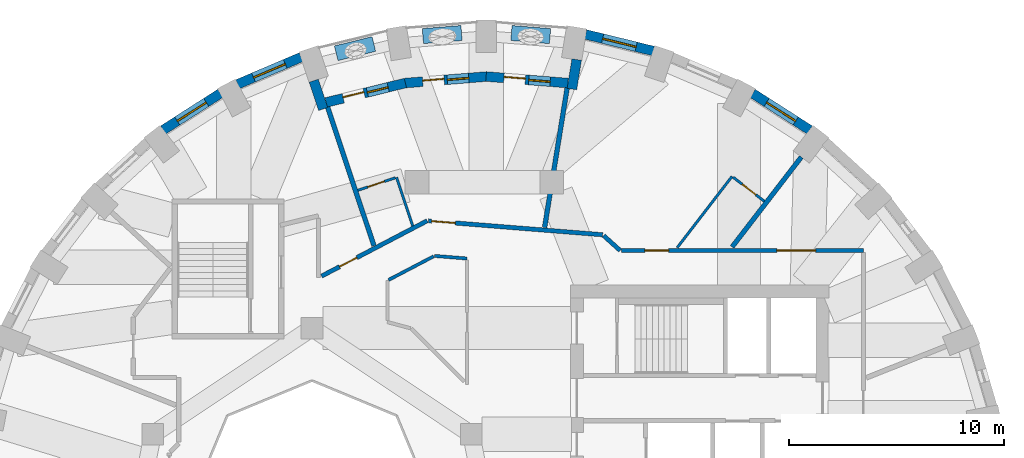
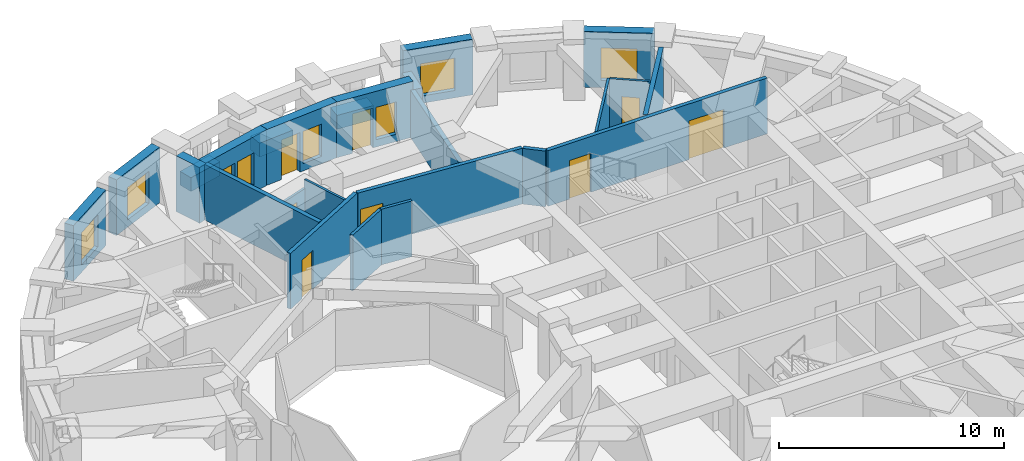
# One storey, part 7 of 11: 25 walls, 9 doors, 7 windows, 16 openings.
"""IFC4 building model written with IfcOpenShell, lengths in metres."""

from ifc_helpers import new_model, si_unit, direction, frame, frame_2d, origin, place, context, subcontext, project, spatial, rectangle, extrude, material, layer, layer_set, constituent, constituent_set, type_object, element, fill, save


model = new_model("IFC4")

# Units and contexts
model_context = context("Model", 3, precision=1e-05, world=origin(), true_north=direction((0.0, 1.0)))
body_context = subcontext(model_context, "Body", "Model", "MODEL_VIEW")
ifc_project = project(units=[si_unit("LENGTHUNIT", "METRE"), si_unit("AREAUNIT", "SQUARE_METRE"), si_unit("VOLUMEUNIT", "CUBIC_METRE"), si_unit("PLANEANGLEUNIT", "RADIAN"), si_unit("MASSUNIT", "GRAM", prefix="KILO")], contexts=[model_context])

# Site, building, storey
site_placement = place(None, origin())
site = spatial("IfcSite", under=ifc_project, at=site_placement, CompositionType="ELEMENT")
building_placement = place(site_placement, origin())
building = spatial("IfcBuilding", under=site, at=building_placement, Name="Taillehof Tower", CompositionType="ELEMENT")
storey_placement = place(building_placement, frame((0.0, 0.0, 178.10009765625)))
storey = spatial("IfcBuildingStorey", under=building, at=storey_placement, Name="L50", CompositionType="ELEMENT", Elevation=178.10009765625)

# Wall, opening, window
ifc_material_1 = material(Name="Brick masonry", Category="masonry")
ifc_layer_1 = layer(ifc_material_1, 0.449951171875)
ifc_layer_set_1 = layer_set([ifc_layer_1], Name="Brick infill wall 450")
wall_type_1 = type_object("IfcWallType", Name="Brick infill wall 450", PredefinedType="SOLIDWALL", material=ifc_layer_set_1)
wall_1_placement = place(storey_placement, frame((15.1083984375, 17.193359375, 0.0), z_axis=(0.0, 0.0, 1.0), x_axis=(-0.842030726237, 0.539429565442, 0.0)))
wall_1 = element("IfcWall", 1, at=wall_1_placement, inside=storey, type_object=wall_type_1, Name="Brick wall L50 bay 6", PredefinedType="SOLIDWALL", context=body_context, shape_type="SweptSolid", body=[
    extrude(rectangle(XDim=3.1513671875, YDim=0.449951171875, at=frame_2d((1.57568359375, 0.0))), origin(), (0.0, 0.0, 1.0), 3.02001953125),
])
opening_1_placement = place(wall_1_placement, frame((0.775634765625, 0.0, 0.39990234375)))
opening_1 = element("IfcOpeningElement", 2, at=opening_1_placement, cuts=wall_1, Name="Opening W3", PredefinedType="OPENING", context=body_context, shape_type="SweptSolid", body=[
    extrude(rectangle(XDim=1.60009765625, YDim=1.75, at=frame_2d((0.800048828125, 0.875))), frame((0.0, 0.23486328125, 0.0), z_axis=(0.0, -1.0, 0.0), x_axis=(1.0, 0.0, 0.0)), (0.0, 0.0, 1.0), 0.469970703125),
])
ifc_material_2 = material(Name="Aluminium window frame with clear double glazing", Category="aluminium")
window_type_1 = type_object("IfcWindowType", Name="Deep-set window 1600x1750", PartitioningType="SINGLE_PANEL", PredefinedType="WINDOW", material=ifc_material_2)
window_1_placement = place(opening_1_placement, origin())
window_1 = element("IfcWindow", 3, at=window_1_placement, inside=storey, type_object=window_type_1, Name="W3", OverallHeight=1.75, OverallWidth=1.60009765625, PartitioningType="SINGLE_PANEL", PredefinedType="WINDOW", context=body_context, shape_type="SweptSolid", body=[
    extrude(rectangle(XDim=1.60009765625, YDim=1.75, at=frame_2d((0.800048828125, 0.875))), frame((0.0, 0.034912109375, 0.0), z_axis=(0.0, -1.0, 0.0), x_axis=(1.0, 0.0, 0.0)), (0.0, 0.0, 1.0), 0.06005859375),
])
fill(opening_1, window_1)

wall_2_placement = place(storey_placement, frame((7.843017578125, 20.8623046875, 0.0), z_axis=(0.0, 0.0, 1.0), x_axis=(-0.971237178372, 0.238114139328, 0.0)))
wall_2 = element("IfcWall", 4, at=wall_2_placement, inside=storey, type_object=wall_type_1, Name="Brick wall L50 bay 8", PredefinedType="SOLIDWALL", context=body_context, shape_type="SweptSolid", body=[
    extrude(rectangle(XDim=3.23681640625, YDim=0.449951171875, at=frame_2d((1.618408203125, 0.0))), origin(), (0.0, 0.0, 1.0), 3.02001953125),
])
opening_2_placement = place(wall_2_placement, frame((0.818359375, 0.0, 0.39990234375)))
opening_2 = element("IfcOpeningElement", 5, at=opening_2_placement, cuts=wall_2, Name="Opening W3", PredefinedType="OPENING", context=body_context, shape_type="SweptSolid", body=[
    extrude(rectangle(XDim=1.60009765625, YDim=1.75, at=frame_2d((0.800048828125, 0.875))), frame((0.0, 0.23486328125, 0.0), z_axis=(0.0, -1.0, 0.0), x_axis=(1.0, 0.0, 0.0)), (0.0, 0.0, 1.0), 0.469970703125),
])
window_2_placement = place(opening_2_placement, origin())
window_2 = element("IfcWindow", 6, at=window_2_placement, inside=storey, type_object=window_type_1, Name="W3", OverallHeight=1.75, OverallWidth=1.60009765625, PartitioningType="SINGLE_PANEL", PredefinedType="WINDOW", context=body_context, shape_type="SweptSolid", body=[
    extrude(rectangle(XDim=1.60009765625, YDim=1.75, at=frame_2d((0.800048828125, 0.875))), frame((0.0, 0.034912109375, 0.0), z_axis=(0.0, -1.0, 0.0), x_axis=(1.0, 0.0, 0.0)), (0.0, 0.0, 1.0), 0.06005859375),
])
fill(opening_2, window_2)

wall_3_placement = place(storey_placement, frame((-8.50634765625, 20.574462890625, 0.0), z_axis=(0.0, 0.0, 1.0), x_axis=(-0.919798725687, -0.392390499663, 0.0)))
wall_3 = element("IfcWall", 7, at=wall_3_placement, inside=storey, type_object=wall_type_1, Name="Brick wall L50 bay 12", PredefinedType="SOLIDWALL", context=body_context, shape_type="SweptSolid", body=[
    extrude(rectangle(XDim=3.200439453125, YDim=0.449951171875, at=frame_2d((1.60009765625, 0.0))), origin(), (0.0, 0.0, 1.0), 3.02001953125),
])
opening_3_placement = place(wall_3_placement, frame((0.80029296875, 0.0, 0.39990234375)))
opening_3 = element("IfcOpeningElement", 8, at=opening_3_placement, cuts=wall_3, Name="Opening W3", PredefinedType="OPENING", context=body_context, shape_type="SweptSolid", body=[
    extrude(rectangle(XDim=1.60009765625, YDim=1.75, at=frame_2d((0.800048828125, 0.875))), frame((0.0, 0.23486328125, 0.0), z_axis=(0.0, -1.0, 0.0), x_axis=(1.0, 0.0, 0.0)), (0.0, 0.0, 1.0), 0.469970703125),
])
window_3_placement = place(opening_3_placement, origin())
window_3 = element("IfcWindow", 9, at=window_3_placement, inside=storey, type_object=window_type_1, Name="W3", OverallHeight=1.75, OverallWidth=1.60009765625, PartitioningType="SINGLE_PANEL", PredefinedType="WINDOW", context=body_context, shape_type="SweptSolid", body=[
    extrude(rectangle(XDim=1.60009765625, YDim=1.75, at=frame_2d((0.800048828125, 0.875))), frame((0.0, 0.034912109375, 0.0), z_axis=(0.0, -1.0, 0.0), x_axis=(1.0, 0.0, 0.0)), (0.0, 0.0, 1.0), 0.06005859375),
])
fill(opening_3, window_3)

wall_4_placement = place(storey_placement, frame((-12.2548828125, 18.893310546875, 0.0), z_axis=(0.0, 0.0, 1.0), x_axis=(-0.842030726237, -0.539429565442, 0.0)))
wall_4 = element("IfcWall", 10, at=wall_4_placement, inside=storey, type_object=wall_type_1, Name="Brick wall L50 bay 13", PredefinedType="SOLIDWALL", context=body_context, shape_type="SweptSolid", body=[
    extrude(rectangle(XDim=3.1513671875, YDim=0.449951171875, at=frame_2d((1.57568359375, 0.0))), origin(), (0.0, 0.0, 1.0), 3.02001953125),
])
opening_4_placement = place(wall_4_placement, frame((0.775634765625, 0.0, 0.39990234375)))
opening_4 = element("IfcOpeningElement", 11, at=opening_4_placement, cuts=wall_4, Name="Opening W3", PredefinedType="OPENING", context=body_context, shape_type="SweptSolid", body=[
    extrude(rectangle(XDim=1.60009765625, YDim=1.75, at=frame_2d((0.800048828125, 0.875))), frame((0.0, 0.23486328125, 0.0), z_axis=(0.0, -1.0, 0.0), x_axis=(1.0, 0.0, 0.0)), (0.0, 0.0, 1.0), 0.469970703125),
])
window_4_placement = place(opening_4_placement, origin())
window_4 = element("IfcWindow", 12, at=window_4_placement, inside=storey, type_object=window_type_1, Name="W3", OverallHeight=1.75, OverallWidth=1.60009765625, PartitioningType="SINGLE_PANEL", PredefinedType="WINDOW", context=body_context, shape_type="SweptSolid", body=[
    extrude(rectangle(XDim=1.60009765625, YDim=1.75, at=frame_2d((0.800048828125, 0.875))), frame((0.0, 0.034912109375, 0.0), z_axis=(0.0, -1.0, 0.0), x_axis=(1.0, 0.0, 0.0)), (0.0, 0.0, 1.0), 0.06005859375),
])
fill(opening_4, window_4)

# Walls
wall_5_placement = place(storey_placement, frame((4.2880859375, 20.4658203125, 0.0), z_axis=(0.0, 0.0, 1.0), x_axis=(-0.159668705775, -0.987170656166, 0.0)))
element("IfcWall", 13, at=wall_5_placement, inside=storey, type_object=wall_type_1, Name="Brick reveal L50 pocket 2", PredefinedType="SOLIDWALL", context=body_context, shape_type="SweptSolid", body=[
    extrude(rectangle(XDim=1.389892578125, YDim=0.449951171875, at=frame_2d((0.69482421875, 0.0))), origin(), (0.0, 0.0, 1.0), 2.56982421875),
])
wall_6_placement = place(storey_placement, frame((-7.921630859375, 19.486328125, 0.0), z_axis=(0.0, 0.0, 1.0), x_axis=(0.316649231286, -0.948542705589, 0.0)))
element("IfcWall", 14, at=wall_6_placement, inside=storey, type_object=wall_type_1, Name="Brick reveal L50 pocket 2", PredefinedType="SOLIDWALL", context=body_context, shape_type="SweptSolid", body=[
    extrude(rectangle(XDim=1.39013671875, YDim=0.449951171875, at=frame_2d((0.695068359375, 0.0))), origin(), (0.0, 0.0, 1.0), 3.02001953125),
])

# Wall, openings, door, window
wall_7_placement = place(storey_placement, frame((3.883056640625, 19.37060546875, 0.0), z_axis=(0.0, 0.0, 1.0), x_axis=(-0.996792437449, 0.080030223316, 0.0)))
wall_7 = element("IfcWall", 15, at=wall_7_placement, inside=storey, type_object=wall_type_1, Name="Brick wall L50 pocket bay 9", PredefinedType="SOLIDWALL", context=body_context, shape_type="SweptSolid", body=[
    extrude(rectangle(XDim=3.813232421875, YDim=0.449951171875, at=frame_2d((1.90673828125, 0.0))), origin(), (0.0, 0.0, 1.0), 3.02001953125),
])
opening_5_placement = place(wall_7_placement, frame((0.83154296875, 0.0, 0.39990234375)))
opening_5 = element("IfcOpeningElement", 16, at=opening_5_placement, cuts=wall_7, Name="Opening W5", PredefinedType="OPENING", context=body_context, shape_type="SweptSolid", body=[
    extrude(rectangle(XDim=1.0, YDim=1.75, at=frame_2d((0.5, 0.875))), frame((0.0, 0.23486328125, 0.0), z_axis=(0.0, -1.0, 0.0), x_axis=(1.0, 0.0, 0.0)), (0.0, 0.0, 1.0), 0.469970703125),
])
opening_6_placement = place(wall_7_placement, frame((1.981689453125, 0.0, 0.0)))
opening_6 = element("IfcOpeningElement", 17, at=opening_6_placement, cuts=wall_7, Name="Opening D5094", PredefinedType="OPENING", context=body_context, shape_type="SweptSolid", body=[
    extrude(rectangle(XDim=1.0, YDim=2.14990234375, at=frame_2d((0.5, 1.074951171875))), frame((0.0, 0.23486328125, 0.0), z_axis=(0.0, -1.0, 0.0), x_axis=(1.0, 0.0, 0.0)), (0.0, 0.0, 1.0), 0.469970703125),
])
ifc_material_3 = material(Name="Aluminium door frame with clear double glazing", Category="aluminium")
door_type_1 = type_object("IfcDoorType", Name="Balcony door 1000x2150", OperationType="SINGLE_SWING_RIGHT", PredefinedType="DOOR", material=ifc_material_3)
door_1_placement = place(opening_6_placement, frame((1.0, 0.0, 0.0), z_axis=(0.0, 0.0, 1.0), x_axis=(-1.0, 0.0, 0.0)))
door_1 = element("IfcDoor", 18, at=door_1_placement, inside=storey, type_object=door_type_1, Name="Balcony door L50 bay 9", OperationType="SINGLE_SWING_RIGHT", OverallHeight=2.14990234375, OverallWidth=1.0, PredefinedType="DOOR", context=body_context, shape_type="SweptSolid", body=[
    extrude(rectangle(XDim=1.0, YDim=2.14990234375, at=frame_2d((0.5, 1.074951171875))), frame((0.0, 0.0751953125, 0.0), z_axis=(0.0, -1.0, 0.0), x_axis=(1.0, 0.0, 0.0)), (0.0, 0.0, 1.0), 0.050048828125),
])
fill(opening_6, door_1)
ifc_material_4 = material(Name="Aluminium window frame with clear double glazing", Category="aluminium")
window_type_2 = type_object("IfcWindowType", Name="Fixed window 1000x1750", PartitioningType="SINGLE_PANEL", PredefinedType="WINDOW", material=ifc_material_4)
window_5_placement = place(opening_5_placement, origin())
window_5 = element("IfcWindow", 19, at=window_5_placement, inside=storey, type_object=window_type_2, Name="W5", OverallHeight=1.75, OverallWidth=1.0, PartitioningType="SINGLE_PANEL", PredefinedType="WINDOW", context=body_context, shape_type="SweptSolid", body=[
    extrude(rectangle(XDim=1.0, YDim=1.75, at=frame_2d((0.5, 0.875))), frame((0.0, 0.034912109375, 0.0), z_axis=(0.0, -1.0, 0.0), x_axis=(1.0, 0.0, 0.0)), (0.0, 0.0, 1.0), 0.06005859375),
])
fill(opening_5, window_5)

wall_8_placement = place(storey_placement, frame((0.117919921875, 19.67578125, 0.0), z_axis=(0.0, 0.0, 1.0), x_axis=(-0.996792139022, -0.080033940204, 0.0)))
wall_8 = element("IfcWall", 20, at=wall_8_placement, inside=storey, type_object=wall_type_1, Name="Brick wall L50 pocket bay 10", PredefinedType="SOLIDWALL", context=body_context, shape_type="SweptSolid", body=[
    extrude(rectangle(XDim=3.831298828125, YDim=0.449951171875, at=frame_2d((1.91552734375, 0.0))), origin(), (0.0, 0.0, 1.0), 3.02001953125),
])
opening_7_placement = place(wall_8_placement, frame((0.840576171875, 0.0, 0.39990234375)))
opening_7 = element("IfcOpeningElement", 21, at=opening_7_placement, cuts=wall_8, Name="Opening W5", PredefinedType="OPENING", context=body_context, shape_type="SweptSolid", body=[
    extrude(rectangle(XDim=1.0, YDim=1.75, at=frame_2d((0.5, 0.875))), frame((0.0, 0.23486328125, 0.0), z_axis=(0.0, -1.0, 0.0), x_axis=(1.0, 0.0, 0.0)), (0.0, 0.0, 1.0), 0.469970703125),
])
opening_8_placement = place(wall_8_placement, frame((1.99072265625, 0.0, 0.0)))
opening_8 = element("IfcOpeningElement", 22, at=opening_8_placement, cuts=wall_8, Name="Opening D5095", PredefinedType="OPENING", context=body_context, shape_type="SweptSolid", body=[
    extrude(rectangle(XDim=1.0, YDim=2.14990234375, at=frame_2d((0.5, 1.074951171875))), frame((0.0, 0.23486328125, 0.0), z_axis=(0.0, -1.0, 0.0), x_axis=(1.0, 0.0, 0.0)), (0.0, 0.0, 1.0), 0.469970703125),
])
door_2_placement = place(opening_8_placement, frame((1.0, 0.0, 0.0), z_axis=(0.0, 0.0, 1.0), x_axis=(-1.0, 0.0, 0.0)))
door_2 = element("IfcDoor", 23, at=door_2_placement, inside=storey, type_object=door_type_1, Name="Balcony door L50 bay 10", OperationType="SINGLE_SWING_LEFT", OverallHeight=2.14990234375, OverallWidth=1.0, PredefinedType="DOOR", context=body_context, shape_type="SweptSolid", body=[
    extrude(rectangle(XDim=1.0, YDim=2.14990234375, at=frame_2d((0.5, 1.074951171875))), frame((0.0, 0.0751953125, 0.0), z_axis=(0.0, -1.0, 0.0), x_axis=(1.0, 0.0, 0.0)), (0.0, 0.0, 1.0), 0.050048828125),
])
fill(opening_8, door_2)
window_6_placement = place(opening_7_placement, origin())
window_6 = element("IfcWindow", 24, at=window_6_placement, inside=storey, type_object=window_type_2, Name="W5", OverallHeight=1.75, OverallWidth=1.0, PartitioningType="SINGLE_PANEL", PredefinedType="WINDOW", context=body_context, shape_type="SweptSolid", body=[
    extrude(rectangle(XDim=1.0, YDim=1.75, at=frame_2d((0.5, 0.875))), frame((0.0, 0.034912109375, 0.0), z_axis=(0.0, -1.0, 0.0), x_axis=(1.0, 0.0, 0.0)), (0.0, 0.0, 1.0), 0.06005859375),
])
fill(opening_7, window_6)

wall_9_placement = place(storey_placement, frame((-3.665283203125, 19.375, 0.0), z_axis=(0.0, 0.0, 1.0), x_axis=(-0.97110866251, -0.238637728782, 0.0)))
wall_9 = element("IfcWall", 25, at=wall_9_placement, inside=storey, type_object=wall_type_1, Name="Brick wall L50 pocket bay 11", PredefinedType="SOLIDWALL", context=body_context, shape_type="SweptSolid", body=[
    extrude(rectangle(XDim=3.789306640625, YDim=0.449951171875, at=frame_2d((1.89453125, 0.0))), origin(), (0.0, 0.0, 1.0), 3.02001953125),
])
opening_9_placement = place(wall_9_placement, frame((0.81982421875, 0.0, 0.39990234375)))
opening_9 = element("IfcOpeningElement", 26, at=opening_9_placement, cuts=wall_9, Name="Opening W5", PredefinedType="OPENING", context=body_context, shape_type="SweptSolid", body=[
    extrude(rectangle(XDim=1.0, YDim=1.75, at=frame_2d((0.5, 0.875))), frame((0.0, 0.23486328125, 0.0), z_axis=(0.0, -1.0, 0.0), x_axis=(1.0, 0.0, 0.0)), (0.0, 0.0, 1.0), 0.469970703125),
])
opening_10_placement = place(wall_9_placement, frame((1.9697265625, 0.0, 0.0)))
opening_10 = element("IfcOpeningElement", 27, at=opening_10_placement, cuts=wall_9, Name="Opening D5096", PredefinedType="OPENING", context=body_context, shape_type="SweptSolid", body=[
    extrude(rectangle(XDim=1.0, YDim=2.14990234375, at=frame_2d((0.5, 1.074951171875))), frame((0.0, 0.23486328125, 0.0), z_axis=(0.0, -1.0, 0.0), x_axis=(1.0, 0.0, 0.0)), (0.0, 0.0, 1.0), 0.469970703125),
])
door_3_placement = place(opening_10_placement, frame((1.0, 0.0, 0.0), z_axis=(0.0, 0.0, 1.0), x_axis=(-1.0, 0.0, 0.0)))
door_3 = element("IfcDoor", 28, at=door_3_placement, inside=storey, type_object=door_type_1, Name="Balcony door L50 bay 11", OperationType="SINGLE_SWING_LEFT", OverallHeight=2.14990234375, OverallWidth=1.0, PredefinedType="DOOR", context=body_context, shape_type="SweptSolid", body=[
    extrude(rectangle(XDim=1.0, YDim=2.14990234375, at=frame_2d((0.5, 1.074951171875))), frame((0.0, 0.0751953125, 0.0), z_axis=(0.0, -1.0, 0.0), x_axis=(1.0, 0.0, 0.0)), (0.0, 0.0, 1.0), 0.050048828125),
])
fill(opening_10, door_3)
window_7_placement = place(opening_9_placement, origin())
window_7 = element("IfcWindow", 29, at=window_7_placement, inside=storey, type_object=window_type_2, Name="W5", OverallHeight=1.75, OverallWidth=1.0, PartitioningType="SINGLE_PANEL", PredefinedType="WINDOW", context=body_context, shape_type="SweptSolid", body=[
    extrude(rectangle(XDim=1.0, YDim=1.75, at=frame_2d((0.5, 0.875))), frame((0.0, 0.034912109375, 0.0), z_axis=(0.0, -1.0, 0.0), x_axis=(1.0, 0.0, 0.0)), (0.0, 0.0, 1.0), 0.06005859375),
])
fill(opening_9, window_7)

# Wall, opening, door
ifc_material_5 = material(Name="Gypsum board on steel studs, two layers each side", Category="steel")
ifc_layer_2 = layer(ifc_material_5, 0.199951171875)
ifc_layer_set_2 = layer_set([ifc_layer_2], Name="Compartment wall corridor 200")
wall_type_2 = type_object("IfcWallType", Name="Compartment wall corridor 200", PredefinedType="PARTITIONING", material=ifc_layer_set_2)
wall_10_placement = place(storey_placement, frame((-7.557373046875, 10.408935546875, 0.0), z_axis=(0.0, 0.0, 1.0), x_axis=(0.885861719566, 0.463949365565, 0.0)))
wall_10 = element("IfcWall", 30, at=wall_10_placement, inside=storey, type_object=wall_type_2, Name="Compartment wall", PredefinedType="PARTITIONING", context=body_context, shape_type="SweptSolid", body=[
    extrude(rectangle(XDim=5.54052734375, YDim=0.199951171875, at=frame_2d((2.770263671875, 0.0))), origin(), (0.0, 0.0, 1.0), 3.02001953125),
])
opening_11_placement = place(wall_10_placement, frame((0.949951171875, 0.0, 0.0)))
opening_11 = element("IfcOpeningElement", 31, at=opening_11_placement, cuts=wall_10, Name="Opening D5044", PredefinedType="OPENING", context=body_context, shape_type="SweptSolid", body=[
    extrude(rectangle(XDim=0.89990234375, YDim=2.10009765625, at=frame_2d((0.449951171875, 1.050048828125))), frame((0.0, 0.10986328125, 0.0), z_axis=(0.0, -1.0, 0.0), x_axis=(1.0, 0.0, 0.0)), (0.0, 0.0, 1.0), 0.219970703125),
])
ifc_material_6 = material(Name="Timber door leaf in steel frame", Category="steel")
door_type_2 = type_object("IfcDoorType", Name="Service room door EI 30 900 x 2100", OperationType="SINGLE_SWING_LEFT", PredefinedType="DOOR", material=ifc_material_6)
door_4_placement = place(opening_11_placement, origin())
door_4 = element("IfcDoor", 32, at=door_4_placement, inside=storey, type_object=door_type_2, Name="D5044", OperationType="SINGLE_SWING_RIGHT", OverallHeight=2.10009765625, OverallWidth=0.89990234375, PredefinedType="DOOR", context=body_context, shape_type="SweptSolid", body=[
    extrude(rectangle(XDim=0.89990234375, YDim=2.10009765625, at=frame_2d((0.449951171875, 1.050048828125))), frame((0.0, 0.02490234375, 0.0), z_axis=(0.0, -1.0, 0.0), x_axis=(1.0, 0.0, 0.0)), (0.0, 0.0, 1.0), 0.050048828125),
])
fill(opening_11, door_4)

wall_11_placement = place(storey_placement, frame((-2.589111328125, 12.974365234375, 0.0), z_axis=(0.0, 0.0, 1.0), x_axis=(0.996834299001, -0.079507108712, 0.0)))
wall_11 = element("IfcWall", 33, at=wall_11_placement, inside=storey, type_object=wall_type_2, Name="Compartment wall", PredefinedType="PARTITIONING", context=body_context, shape_type="SweptSolid", body=[
    extrude(rectangle(XDim=8.109619140625, YDim=0.199951171875, at=frame_2d((4.0546875, 0.0))), origin(), (0.0, 0.0, 1.0), 3.02001953125),
])
opening_12_placement = place(wall_11_placement, frame((0.139892578125, 0.0, 0.0)))
opening_12 = element("IfcOpeningElement", 34, at=opening_12_placement, cuts=wall_11, Name="Opening D5042", PredefinedType="OPENING", context=body_context, shape_type="SweptSolid", body=[
    extrude(rectangle(XDim=1.10009765625, YDim=2.10009765625, at=frame_2d((0.550048828125, 1.050048828125))), frame((0.0, 0.10986328125, 0.0), z_axis=(0.0, -1.0, 0.0), x_axis=(1.0, 0.0, 0.0)), (0.0, 0.0, 1.0), 0.219970703125),
])
ifc_material_7 = material(Name="Timber door leaf in steel frame", Category="steel")
door_type_3 = type_object("IfcDoorType", Name="Suite entrance door EI 30 1100 x 2100", OperationType="SINGLE_SWING_LEFT", PredefinedType="DOOR", material=ifc_material_7)
door_5_placement = place(opening_12_placement, origin())
door_5 = element("IfcDoor", 35, at=door_5_placement, inside=storey, type_object=door_type_3, Name="D5042", OperationType="SINGLE_SWING_LEFT", OverallHeight=2.10009765625, OverallWidth=1.10009765625, PredefinedType="DOOR", context=body_context, shape_type="SweptSolid", body=[
    extrude(rectangle(XDim=1.10009765625, YDim=2.10009765625, at=frame_2d((0.550048828125, 1.050048828125))), frame((0.0, 0.02490234375, 0.0), z_axis=(0.0, -1.0, 0.0), x_axis=(1.0, 0.0, 0.0)), (0.0, 0.0, 1.0), 0.050048828125),
])
fill(opening_12, door_5)

# Wall
wall_12_placement = place(storey_placement, frame((5.53955078125, 12.289306640625, 0.0), z_axis=(0.0, 0.0, 1.0), x_axis=(0.743647325452, -0.668572101832, 0.0)))
element("IfcWall", 36, at=wall_12_placement, inside=storey, type_object=wall_type_2, Name="Compartment wall", PredefinedType="PARTITIONING", context=body_context, shape_type="SweptSolid", body=[
    extrude(rectangle(XDim=1.03076171875, YDim=0.199951171875, at=frame_2d((0.515380859375, 0.0))), origin(), (0.0, 0.0, 1.0), 3.02001953125),
])

# Wall, openings, doors
wall_13_placement = place(storey_placement, frame((6.3662109375, 11.60009765625, 0.0), z_axis=(0.0, 0.0, 1.0), x_axis=(1.0, 0.0, 0.0)))
wall_13 = element("IfcWall", 37, at=wall_13_placement, inside=storey, type_object=wall_type_2, Name="Compartment wall", PredefinedType="PARTITIONING", context=body_context, shape_type="SweptSolid", body=[
    extrude(rectangle(XDim=11.23388671875, YDim=0.199951171875, at=frame_2d((5.616943359375, 0.0))), origin(), (0.0, 0.0, 1.0), 3.02001953125),
])
opening_13_placement = place(wall_13_placement, frame((1.086181640625, 0.0, 0.0)))
opening_13 = element("IfcOpeningElement", 38, at=opening_13_placement, cuts=wall_13, Name="Opening D5040", PredefinedType="OPENING", context=body_context, shape_type="SweptSolid", body=[
    extrude(rectangle(XDim=1.10009765625, YDim=2.10009765625, at=frame_2d((0.550048828125, 1.050048828125))), frame((0.0, 0.10986328125, 0.0), z_axis=(0.0, -1.0, 0.0), x_axis=(1.0, 0.0, 0.0)), (0.0, 0.0, 1.0), 0.219970703125),
])
opening_14_placement = place(wall_13_placement, frame((7.216064453125, 0.0, 0.0)))
opening_14 = element("IfcOpeningElement", 39, at=opening_14_placement, cuts=wall_13, Name="Opening D5054", PredefinedType="OPENING", context=body_context, shape_type="SweptSolid", body=[
    extrude(rectangle(XDim=1.800048828125, YDim=2.10009765625, at=frame_2d((0.89990234375, 1.050048828125))), frame((0.0, 0.10986328125, 0.0), z_axis=(0.0, -1.0, 0.0), x_axis=(1.0, 0.0, 0.0)), (0.0, 0.0, 1.0), 0.219970703125),
])
ifc_material_8 = material(Name="Timber door leaf in steel frame", Category="steel")
door_type_4 = type_object("IfcDoorType", Name="Lounge and meeting room double door EI 30 1800 x 2100", OperationType="SINGLE_SWING_LEFT", PredefinedType="DOOR", material=ifc_material_8)
door_6_placement = place(opening_14_placement, origin())
door_6 = element("IfcDoor", 40, at=door_6_placement, inside=storey, type_object=door_type_4, Name="D5054", OperationType="DOUBLE_DOOR_SINGLE_SWING", OverallHeight=2.10009765625, OverallWidth=1.800048828125, PredefinedType="DOOR", context=body_context, shape_type="SweptSolid", body=[
    extrude(rectangle(XDim=1.800048828125, YDim=2.10009765625, at=frame_2d((0.89990234375, 1.050048828125))), frame((0.0, 0.02490234375, 0.0), z_axis=(0.0, -1.0, 0.0), x_axis=(1.0, 0.0, 0.0)), (0.0, 0.0, 1.0), 0.050048828125),
])
fill(opening_14, door_6)
door_7_placement = place(opening_13_placement, origin())
door_7 = element("IfcDoor", 41, at=door_7_placement, inside=storey, type_object=door_type_3, Name="D5040", OperationType="SINGLE_SWING_RIGHT", OverallHeight=2.10009765625, OverallWidth=1.10009765625, PredefinedType="DOOR", context=body_context, shape_type="SweptSolid", body=[
    extrude(rectangle(XDim=1.10009765625, YDim=2.10009765625, at=frame_2d((0.550048828125, 1.050048828125))), frame((0.0, 0.02490234375, 0.0), z_axis=(0.0, -1.0, 0.0), x_axis=(1.0, 0.0, 0.0)), (0.0, 0.0, 1.0), 0.050048828125),
])
fill(opening_13, door_7)

# Walls
ifc_material_9 = material(Name="Gypsum board on double steel studs with mineral wool", Category="steel")
ifc_layer_3 = layer(ifc_material_9, 0.219970703125)
ifc_layer_set_3 = layer_set([ifc_layer_3], Name="Compartment wall guest room 220")
wall_type_3 = type_object("IfcWallType", Name="Compartment wall guest room 220", PredefinedType="PARTITIONING", material=ifc_layer_set_3)
wall_14_placement = place(storey_placement, frame((14.7158203125, 15.937255859375, 0.0), z_axis=(0.0, 0.0, 1.0), x_axis=(-0.61000193202, -0.792399926131, 0.0)))
element("IfcWall", 42, at=wall_14_placement, inside=storey, type_object=wall_type_3, Name="Compartment wall", PredefinedType="PARTITIONING", context=body_context, shape_type="SweptSolid", body=[
    extrude(rectangle(XDim=5.26708984375, YDim=0.219970703125, at=frame_2d((2.633544921875, 0.0))), origin(), (0.0, 0.0, 1.0), 3.02001953125),
])
wall_15_placement = place(storey_placement, frame((3.846923828125, 19.14794921875, 0.0), z_axis=(0.0, 0.0, 1.0), x_axis=(-0.159670729912, -0.987170328773, 0.0)))
element("IfcWall", 43, at=wall_15_placement, inside=storey, type_object=wall_type_3, Name="Compartment wall", PredefinedType="PARTITIONING", context=body_context, shape_type="SweptSolid", body=[
    extrude(rectangle(XDim=6.567138671875, YDim=0.219970703125, at=frame_2d((3.28369140625, 0.0))), origin(), (0.0, 0.0, 1.0), 2.56982421875),
])
wall_16_placement = place(storey_placement, frame((-7.27392578125, 18.25634765625, 0.0), z_axis=(0.0, 0.0, 1.0), x_axis=(0.316724121691, -0.948517701859, 0.0)))
element("IfcWall", 44, at=wall_16_placement, inside=storey, type_object=wall_type_3, Name="Compartment wall", PredefinedType="PARTITIONING", context=body_context, shape_type="SweptSolid", body=[
    extrude(rectangle(XDim=6.787109375, YDim=0.219970703125, at=frame_2d((3.3935546875, 0.0))), origin(), (0.0, 0.0, 1.0), 3.02001953125),
])
ifc_material_10 = material(Name="Gypsum board on steel studs, two layers each side", Category="steel")
ifc_layer_4 = layer(ifc_material_10, 0.14990234375)
ifc_layer_set_4 = layer_set([ifc_layer_4], Name="Compartment wall service room 150")
wall_type_4 = type_object("IfcWallType", Name="Compartment wall service room 150", PredefinedType="PARTITIONING", material=ifc_layer_set_4)
wall_17_placement = place(storey_placement, frame((-2.316162109375, 11.347900390625, 0.0), z_axis=(0.0, 0.0, 1.0), x_axis=(0.99682547828, -0.079617622742, 0.0)))
element("IfcWall", 45, at=wall_17_placement, inside=storey, type_object=wall_type_4, Name="Compartment wall", PredefinedType="PARTITIONING", context=body_context, shape_type="SweptSolid", body=[
    extrude(rectangle(XDim=1.52099609375, YDim=0.14990234375, at=frame_2d((0.760498046875, 0.0))), origin(), (0.0, 0.0, 1.0), 3.02001953125),
])
wall_18_placement = place(storey_placement, frame((-4.446533203125, 10.232177734375, 0.0), z_axis=(0.0, 0.0, 1.0), x_axis=(0.885843659857, 0.463983847016, 0.0)))
element("IfcWall", 46, at=wall_18_placement, inside=storey, type_object=wall_type_4, Name="Compartment wall", PredefinedType="PARTITIONING", context=body_context, shape_type="SweptSolid", body=[
    extrude(rectangle(XDim=2.36474609375, YDim=0.14990234375, at=frame_2d((1.182373046875, 0.0))), origin(), (0.0, 0.0, 1.0), 3.02001953125),
])
ifc_material_11 = material(Name="Gypsum board on steel studs, moisture resistant", Category="steel")
ifc_layer_5 = layer(ifc_material_11, 0.1201171875)
ifc_layer_set_5 = layer_set([ifc_layer_5], Name="En-suite wall 120")
wall_type_5 = type_object("IfcWallType", Name="En-suite wall 120", PredefinedType="PARTITIONING", material=ifc_layer_set_5)
wall_19_placement = place(storey_placement, frame((8.95458984375, 11.73193359375, 0.0), z_axis=(0.0, 0.0, 1.0), x_axis=(0.609996270026, 0.79240428479, 0.0)))
element("IfcWall", 47, at=wall_19_placement, inside=storey, type_object=wall_type_5, Name="En-suite wall", PredefinedType="PARTITIONING", context=body_context, shape_type="SweptSolid", body=[
    extrude(rectangle(XDim=4.17333984375, YDim=0.1201171875, at=frame_2d((2.086669921875, 0.0))), origin(), (0.0, 0.0, 1.0), 3.02001953125),
])
wall_20_placement = place(storey_placement, frame((-3.3232421875, 12.739501953125, 0.0), z_axis=(0.0, 0.0, 1.0), x_axis=(-0.316720994124, 0.948518746194, 0.0)))
element("IfcWall", 48, at=wall_20_placement, inside=storey, type_object=wall_type_5, Name="En-suite wall", PredefinedType="PARTITIONING", context=body_context, shape_type="SweptSolid", body=[
    extrude(rectangle(XDim=2.375732421875, YDim=0.1201171875, at=frame_2d((1.18798828125, 0.0))), origin(), (0.0, 0.0, 1.0), 3.02001953125),
])

# Wall, opening, door
wall_21_placement = place(storey_placement, frame((11.5478515625, 15.002197265625, 0.0), z_axis=(0.0, 0.0, 1.0), x_axis=(0.792445416108, -0.609942835428, 0.0)))
wall_21 = element("IfcWall", 49, at=wall_21_placement, inside=storey, type_object=wall_type_5, Name="En-suite wall", PredefinedType="PARTITIONING", context=body_context, shape_type="SweptSolid", body=[
    extrude(rectangle(XDim=1.830078125, YDim=0.1201171875, at=frame_2d((0.9150390625, 0.0))), origin(), (0.0, 0.0, 1.0), 3.02001953125),
])
opening_15_placement = place(wall_21_placement, frame((0.5400390625, 0.0, 0.0)))
opening_15 = element("IfcOpeningElement", 50, at=opening_15_placement, cuts=wall_21, Name="Opening D5041", PredefinedType="OPENING", context=body_context, shape_type="SweptSolid", body=[
    extrude(rectangle(XDim=0.800048828125, YDim=2.10009765625, at=frame_2d((0.39990234375, 1.050048828125))), frame((0.0, 0.070068359375, 0.0), z_axis=(0.0, -1.0, 0.0), x_axis=(1.0, 0.0, 0.0)), (0.0, 0.0, 1.0), 0.14013671875),
])
ifc_material_12 = material(Name="Timber door leaf in steel frame", Category="steel")
door_type_5 = type_object("IfcDoorType", Name="En-suite door 800 x 2100", OperationType="SINGLE_SWING_LEFT", PredefinedType="DOOR", material=ifc_material_12)
door_8_placement = place(opening_15_placement, origin())
door_8 = element("IfcDoor", 51, at=door_8_placement, inside=storey, type_object=door_type_5, Name="D5041", OperationType="SINGLE_SWING_RIGHT", OverallHeight=2.10009765625, OverallWidth=0.800048828125, PredefinedType="DOOR", context=body_context, shape_type="SweptSolid", body=[
    extrude(rectangle(XDim=0.800048828125, YDim=2.10009765625, at=frame_2d((0.39990234375, 1.050048828125))), frame((0.0, 0.02490234375, 0.0), z_axis=(0.0, -1.0, 0.0), x_axis=(1.0, 0.0, 0.0)), (0.0, 0.0, 1.0), 0.050048828125),
])
fill(opening_15, door_8)

wall_22_placement = place(storey_placement, frame((-4.132568359375, 14.973876953125, 0.0), z_axis=(0.0, 0.0, 1.0), x_axis=(-0.9485230882, -0.31670799035, 0.0)))
wall_22 = element("IfcWall", 52, at=wall_22_placement, inside=storey, type_object=wall_type_5, Name="En-suite wall", PredefinedType="PARTITIONING", context=body_context, shape_type="SweptSolid", body=[
    extrude(rectangle(XDim=1.830078125, YDim=0.1201171875, at=frame_2d((0.9150390625, 0.0))), origin(), (0.0, 0.0, 1.0), 2.56982421875),
])
opening_16_placement = place(wall_22_placement, frame((0.5400390625, 0.0, 0.0)))
opening_16 = element("IfcOpeningElement", 53, at=opening_16_placement, cuts=wall_22, Name="Opening D5043", PredefinedType="OPENING", context=body_context, shape_type="SweptSolid", body=[
    extrude(rectangle(XDim=0.800048828125, YDim=2.10009765625, at=frame_2d((0.39990234375, 1.050048828125))), frame((0.0, 0.070068359375, 0.0), z_axis=(0.0, -1.0, 0.0), x_axis=(1.0, 0.0, 0.0)), (0.0, 0.0, 1.0), 0.14013671875),
])
door_9_placement = place(opening_16_placement, origin())
door_9 = element("IfcDoor", 54, at=door_9_placement, inside=storey, type_object=door_type_5, Name="D5043", OperationType="SINGLE_SWING_LEFT", OverallHeight=2.10009765625, OverallWidth=0.800048828125, PredefinedType="DOOR", context=body_context, shape_type="SweptSolid", body=[
    extrude(rectangle(XDim=0.800048828125, YDim=2.10009765625, at=frame_2d((0.39990234375, 1.050048828125))), frame((0.0, 0.02490234375, 0.0), z_axis=(0.0, -1.0, 0.0), x_axis=(1.0, 0.0, 0.0)), (0.0, 0.0, 1.0), 0.050048828125),
])
fill(opening_16, door_9)

# Walls
ifc_material_13 = material(Name="Concrete C30/37 precast", Category="concrete")
ifc_constituent_1 = constituent(ifc_material_13, Name="Structure", Category="concrete")
ifc_material_14 = material(Name="Insulated lining")
ifc_constituent_2 = constituent(ifc_material_14, Name="Lining")
ifc_constituent_set = constituent_set(constituents=[ifc_constituent_1, ifc_constituent_2], Name="Planter trough 700x750")
wall_type_6 = type_object("IfcWallType", Name="Planter trough 700x750", PredefinedType="USERDEFINED", material=ifc_constituent_set)
for number, where, z_axis, x_axis, name in (
    (55, (3.05224609375, 21.552001953125, 0.0), (0.0, 0.0, 1.0), (-0.996803623311, 0.079890778899, 0.0), "Planter L50 bay 9"),
    (56, (-1.05810546875, 21.69580078125, 0.0), (0.0, 0.0, 1.0), (-0.996803623311, -0.079890778899, 0.0), "Planter L50 bay 10"),
    (57, (-5.129150390625, 21.18505859375, 0.0), (0.0, 0.0, 1.0), (-0.971257007956, -0.238033242419, 0.0), "Planter L50 bay 11"),
):
    element("IfcWall", number, at=place(storey_placement, frame(where, z_axis=z_axis, x_axis=x_axis)), inside=storey, type_object=wall_type_6, Name=name, ObjectType="PLANTER", PredefinedType="USERDEFINED", context=body_context, shape_type="SweptSolid", body=[
        extrude(rectangle(XDim=1.800048828125, YDim=0.699951171875, at=frame_2d((0.89990234375, 0.0))), origin(), (0.0, 0.0, 1.0), 0.75),
    ])

save(model, "model.ifc")
